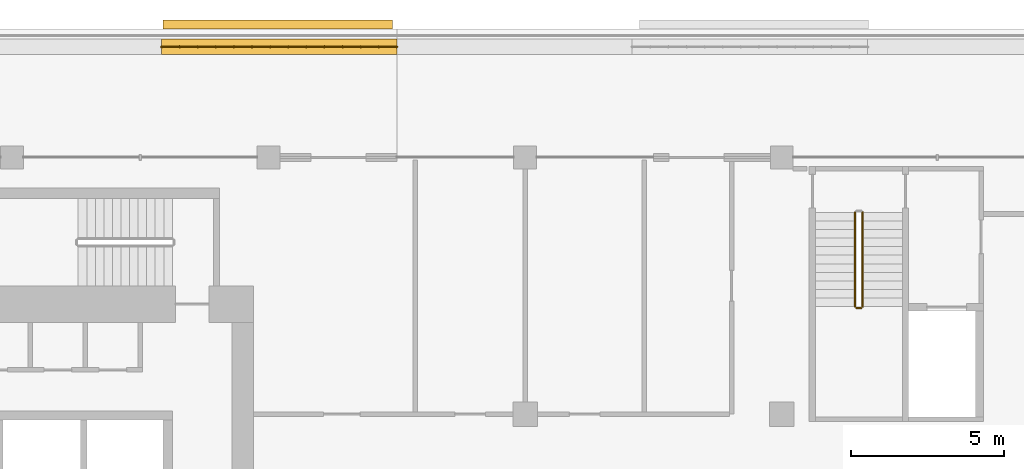
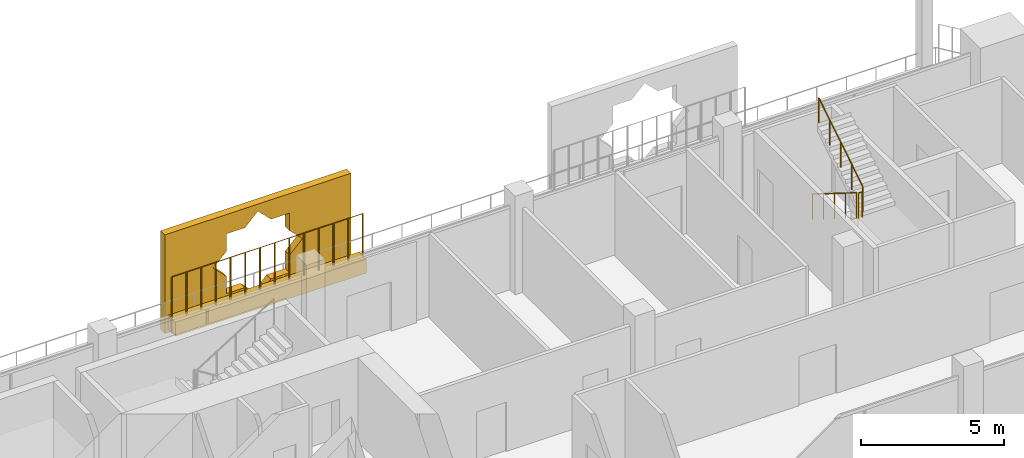
# One storey, part 21 of 23: 4 railings, 2 coverings.
"""IFC4 building model written with IfcOpenShell, lengths in metres."""

from ifc_helpers import new_model, si_unit, direction, frame, origin, origin_2d, place, context, subcontext, project, spatial, polyline, rectangle, circle, outline, extrude, material, material_profile, profile_set, type_object, element, save


model = new_model("IFC4")

# Units and contexts
model_context = context("Model", 3, precision=1e-05, world=origin(), true_north=direction((0.0, 1.0)))
body_context = subcontext(model_context, "Body", "Model", "MODEL_VIEW")
ifc_project = project(units=[si_unit("LENGTHUNIT", "METRE"), si_unit("AREAUNIT", "SQUARE_METRE"), si_unit("VOLUMEUNIT", "CUBIC_METRE"), si_unit("PLANEANGLEUNIT", "RADIAN"), si_unit("MASSUNIT", "GRAM", prefix="KILO")], contexts=[model_context])

# Site, building, storey
site_placement = place(None, origin())
site = spatial("IfcSite", under=ifc_project, at=site_placement, CompositionType="ELEMENT")
building_placement = place(site_placement, origin())
building = spatial("IfcBuilding", under=site, at=building_placement, Name="Kawkab Arch Medical Tower", CompositionType="ELEMENT")
storey_placement = place(building_placement, frame((0.0, 0.0, 281.800048828125)))
storey = spatial("IfcBuildingStorey", under=building, at=storey_placement, Name="L65", CompositionType="ELEMENT", Elevation=281.800048828125)

# Coverings
ifc_material_1 = material(Name="Bronze anodised aluminium mashrabiya panel, eight-point star pattern", Category="aluminium")
ifc_material_profile_1 = material_profile(ifc_material_1, outline(polyline([(-3.75, -2.10009765625), (3.75, -2.10009765625), (3.75, 2.10009765625), (-3.75, 2.10009765625), (-3.75, -2.10009765625)]), holes=[polyline([(1.800048828125, 0.0), (1.272705078125, 0.527099609375), (1.272705078125, 1.272705078125), (0.527099609375, 1.272705078125), (0.0, 1.800048828125), (-0.527099609375, 1.272705078125), (-1.272705078125, 1.272705078125), (-1.272705078125, 0.527099609375), (-1.800048828125, 0.0), (-1.272705078125, -0.527099609375), (-1.272705078125, -1.272705078125), (-0.527099609375, -1.272705078125), (0.0, -1.800048828125), (0.527099609375, -1.272705078125), (1.272705078125, -1.272705078125), (1.272705078125, -0.527099609375), (1.800048828125, 0.0)])]), Name="Mashrabiya panel 7500x4200")
ifc_profile_set_1 = profile_set([ifc_material_profile_1], Name="Bronze anodised aluminium mashrabiya panel, eight-point star pattern")
covering_type_1 = type_object("IfcCoveringType", Name="Mashrabiya panel 7500 x 4200", PredefinedType="USERDEFINED", material=ifc_profile_set_1)
covering_1_placement = place(storey_placement, frame((25.500732421875, 4.199951171875, 1.699951171875), z_axis=(0.0, 1.0, 0.0), x_axis=(-1.0, 0.0, 0.0)))
element("IfcCovering", 1, at=covering_1_placement, inside=storey, type_object=covering_type_1, Name="Mashrabiya panel L65.LOG-01-02.4", ObjectType="SCREEN", PredefinedType="USERDEFINED", context=body_context, shape_type="SweptSolid", body=[
    extrude(outline(polyline([(-3.75, -2.10009765625), (3.75, -2.10009765625), (3.75, 2.10009765625), (-3.75, 2.10009765625), (-3.75, -2.10009765625)]), holes=[polyline([(1.800048828125, 0.0), (1.272705078125, 0.527099609375), (1.272705078125, 1.272705078125), (0.527099609375, 1.272705078125), (0.0, 1.800048828125), (-0.527099609375, 1.272705078125), (-1.272705078125, 1.272705078125), (-1.272705078125, 0.527099609375), (-1.800048828125, 0.0), (-1.272705078125, -0.527099609375), (-1.272705078125, -1.272705078125), (-0.527099609375, -1.272705078125), (0.0, -1.800048828125), (0.527099609375, -1.272705078125), (1.272705078125, -1.272705078125), (1.272705078125, -0.527099609375), (1.800048828125, 0.0)])]), origin(), (0.0, 0.0, 1.0), 0.300048828125),
])
ifc_material_2 = material(Name="Planting soil in a precast trough", Category="concrete")
ifc_material_profile_2 = material_profile(ifc_material_2, rectangle(XDim=0.5, YDim=0.60009765625, at=origin_2d()), Name="Trough 500x600")
ifc_profile_set_2 = profile_set([ifc_material_profile_2], Name="Planting soil in a precast trough")
covering_type_2 = type_object("IfcCoveringType", Name="Planter trough 500 x 600", PredefinedType="USERDEFINED", material=ifc_profile_set_2)
covering_2_placement = place(storey_placement, frame((21.695068359375, 3.6201171875, 0.300048828125), z_axis=(1.0, 0.0, 0.0), x_axis=(0.0, 1.0, 0.0)))
element("IfcCovering", 2, at=covering_2_placement, inside=storey, type_object=covering_type_2, Name="Planter L65.LOG-01-02.15", ObjectType="PLANTER", PredefinedType="USERDEFINED", context=body_context, shape_type="SweptSolid", body=[
    extrude(rectangle(XDim=0.5, YDim=0.60009765625, at=origin_2d()), origin(), (0.0, 0.0, 1.0), 7.704833984375),
])

# Railings
ifc_material_3 = material(Name="Bronze anodised aluminium trellis for climbing plants", Category="aluminium")
railing_type_1 = type_object("IfcRailingType", Name="Planting trellis 2400", PredefinedType="USERDEFINED", material=ifc_material_3)
railing_1_placement = place(storey_placement, frame((21.695068359375, 3.6201171875, 0.0)))
element("IfcRailing", 3, at=railing_1_placement, inside=storey, type_object=railing_type_1, Name="Planting trellis L65.LOG-01-02.15", ObjectType="TRELLIS", PredefinedType="USERDEFINED", context=body_context, shape_type="SweptSolid", body=[
    extrude(circle(Radius=0.01513671875, at=origin_2d()), frame((0.0, 0.0, 2.384765625), z_axis=(1.0, 0.0, 0.0), x_axis=(0.0, 1.0, 0.0)), (0.0, 0.0, 1.0), 7.704833984375),
    extrude(circle(Radius=0.030029296875, at=origin_2d()), origin(), (0.0, 0.0, 1.0), 2.369873046875),
    extrude(circle(Radius=0.030029296875, at=origin_2d()), frame((0.5927734375, 0.0, 0.0)), (0.0, 0.0, 1.0), 2.369873046875),
    extrude(circle(Radius=0.030029296875, at=origin_2d()), frame((1.185302734375, 0.0, 0.0)), (0.0, 0.0, 1.0), 2.369873046875),
    extrude(circle(Radius=0.030029296875, at=origin_2d()), frame((1.778076171875, 0.0, 0.0)), (0.0, 0.0, 1.0), 2.369873046875),
    extrude(circle(Radius=0.030029296875, at=origin_2d()), frame((2.37060546875, 0.0, 0.0)), (0.0, 0.0, 1.0), 2.369873046875),
    extrude(circle(Radius=0.030029296875, at=origin_2d()), frame((2.96337890625, 0.0, 0.0)), (0.0, 0.0, 1.0), 2.369873046875),
    extrude(circle(Radius=0.030029296875, at=origin_2d()), frame((3.55615234375, 0.0, 0.0)), (0.0, 0.0, 1.0), 2.369873046875),
    extrude(circle(Radius=0.030029296875, at=origin_2d()), frame((4.148681640625, 0.0, 0.0)), (0.0, 0.0, 1.0), 2.369873046875),
    extrude(circle(Radius=0.030029296875, at=origin_2d()), frame((4.741455078125, 0.0, 0.0)), (0.0, 0.0, 1.0), 2.369873046875),
    extrude(circle(Radius=0.030029296875, at=origin_2d()), frame((5.334228515625, 0.0, 0.0)), (0.0, 0.0, 1.0), 2.369873046875),
    extrude(circle(Radius=0.030029296875, at=origin_2d()), frame((5.9267578125, 0.0, 0.0)), (0.0, 0.0, 1.0), 2.369873046875),
    extrude(circle(Radius=0.030029296875, at=origin_2d()), frame((6.51953125, 0.0, 0.0)), (0.0, 0.0, 1.0), 2.369873046875),
    extrude(circle(Radius=0.030029296875, at=origin_2d()), frame((7.112060546875, 0.0, 0.0)), (0.0, 0.0, 1.0), 2.369873046875),
    extrude(circle(Radius=0.030029296875, at=origin_2d()), frame((7.704833984375, 0.0, 0.0)), (0.0, 0.0, 1.0), 2.369873046875),
])
ifc_material_4 = material(Name="Stainless steel", Category="steel")
railing_type_2 = type_object("IfcRailingType", Name="Stair guard 1100", PredefinedType="GUARDRAIL", material=ifc_material_4)
railing_2_placement = place(storey_placement, frame((44.39990234375, -1.800048828125, 0.175048828125)))
element("IfcRailing", 4, at=railing_2_placement, inside=storey, type_object=railing_type_2, Name="L65 ST5 stair guard 1", PredefinedType="GUARDRAIL", context=body_context, shape_type="SweptSolid", body=[
    extrude(circle(Radius=0.02392578125, at=origin_2d()), frame((0.0, 0.0, 1.076171875), z_axis=(0.0, -0.848009633417, 0.529980812513), x_axis=(1.0, 0.0, 0.0)), (0.0, 0.0, 1.0), 3.6318359375),
    extrude(circle(Radius=0.02099609375, at=origin_2d()), origin(), (0.0, 0.0, 1.0), 1.052001953125),
    extrude(circle(Radius=0.02099609375, at=origin_2d()), frame((0.0, -0.77001953125, 0.481201171875)), (0.0, 0.0, 1.0), 1.052001953125),
    extrude(circle(Radius=0.02099609375, at=origin_2d()), frame((0.0, -1.5400390625, 0.96240234375)), (0.0, 0.0, 1.0), 1.052001953125),
    extrude(circle(Radius=0.02099609375, at=origin_2d()), frame((0.0, -2.309814453125, 1.443603515625)), (0.0, 0.0, 1.0), 1.052001953125),
    extrude(circle(Radius=0.02099609375, at=origin_2d()), frame((0.0, -3.079833984375, 1.9248046875)), (0.0, 0.0, 1.0), 1.052001953125),
])
railing_3_placement = place(storey_placement, frame((44.449951171875, -4.929931640625, 2.099853515625)))
element("IfcRailing", 5, at=railing_3_placement, inside=storey, type_object=railing_type_2, Name="L65 ST5 stair guard 2", PredefinedType="GUARDRAIL", context=body_context, shape_type="SweptSolid", body=[
    extrude(circle(Radius=0.02392578125, at=origin_2d()), frame((0.0, 0.0, 1.076171875), z_axis=(1.0, 0.0, 0.0), x_axis=(0.0, 1.0, 0.0)), (0.0, 0.0, 1.0), 0.150146484375),
    extrude(circle(Radius=0.02099609375, at=origin_2d()), origin(), (0.0, 0.0, 1.0), 1.052001953125),
    extrude(circle(Radius=0.02099609375, at=origin_2d()), frame((0.150146484375, 0.0, 0.0)), (0.0, 0.0, 1.0), 1.052001953125),
])
railing_4_placement = place(storey_placement, frame((44.64990234375, -4.8798828125, 2.27490234375)))
element("IfcRailing", 6, at=railing_4_placement, inside=storey, type_object=railing_type_2, Name="L65 ST5 stair guard 3", PredefinedType="GUARDRAIL", context=body_context, shape_type="SweptSolid", body=[
    extrude(circle(Radius=0.02392578125, at=origin_2d()), frame((0.0, 0.0, 1.076171875), z_axis=(0.0, 0.847979421464, 0.530029150871), x_axis=(-1.0, 0.0, 0.0)), (0.0, 0.0, 1.0), 3.632080078125),
    extrude(circle(Radius=0.02099609375, at=origin_2d()), origin(), (0.0, 0.0, 1.0), 1.052001953125),
    extrude(circle(Radius=0.02099609375, at=origin_2d()), frame((0.0, 0.77001953125, 0.481201171875)), (0.0, 0.0, 1.0), 1.052001953125),
    extrude(circle(Radius=0.02099609375, at=origin_2d()), frame((0.0, 1.5400390625, 0.96240234375)), (0.0, 0.0, 1.0), 1.052001953125),
    extrude(circle(Radius=0.02099609375, at=origin_2d()), frame((0.0, 2.309814453125, 1.44384765625)), (0.0, 0.0, 1.0), 1.052001953125),
    extrude(circle(Radius=0.02099609375, at=origin_2d()), frame((0.0, 3.079833984375, 1.925048828125)), (0.0, 0.0, 1.0), 1.052001953125),
])

save(model, "model.ifc")
